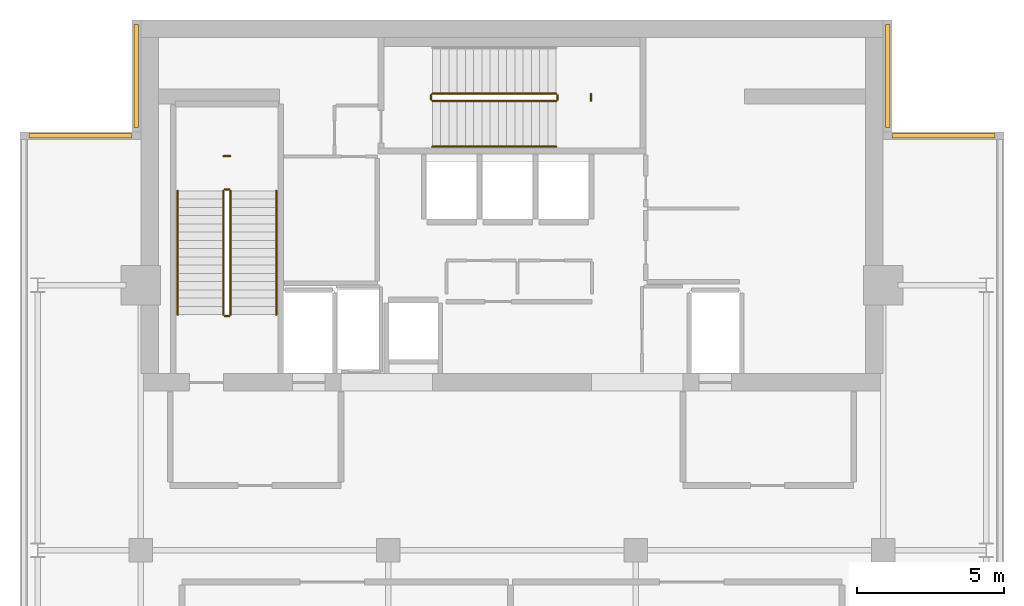
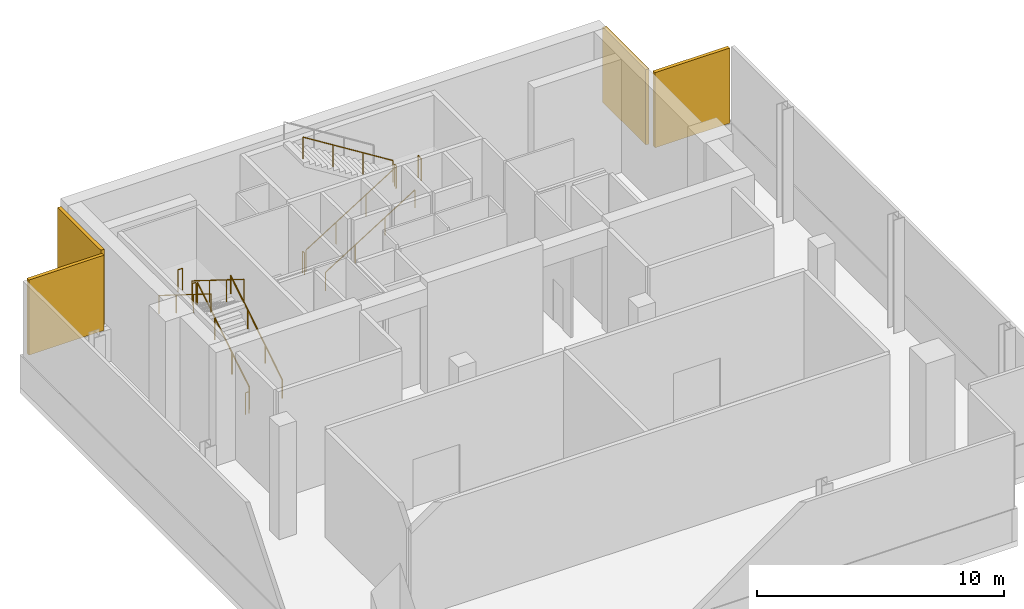
# One storey, part 5 of 6: 13 railings, 4 shading devices.
"""IFC4 building model written with IfcOpenShell, lengths in metres."""

from ifc_helpers import new_model, si_unit, direction, frame, origin, origin_2d, place, context, subcontext, project, spatial, rectangle, circle, extrude, material, layer, layer_set, type_object, element, save


model = new_model("IFC4")

# Units and contexts
model_context = context("Model", 3, precision=1e-05, world=origin(), true_north=direction((0.0, 1.0)))
body_context = subcontext(model_context, "Body", "Model", "MODEL_VIEW")
ifc_project = project(units=[si_unit("LENGTHUNIT", "METRE"), si_unit("AREAUNIT", "SQUARE_METRE"), si_unit("VOLUMEUNIT", "CUBIC_METRE"), si_unit("PLANEANGLEUNIT", "RADIAN"), si_unit("MASSUNIT", "GRAM", prefix="KILO")], contexts=[model_context])

# Site, building, storey
site_placement = place(None, origin())
site = spatial("IfcSite", under=ifc_project, at=site_placement, CompositionType="ELEMENT")
building_placement = place(site_placement, origin())
building = spatial("IfcBuilding", under=site, at=building_placement, Name="Maruvema Waterfront Hotel and Observation Tower", CompositionType="ELEMENT")
storey_placement = place(building_placement, frame((0.0, 0.0, 364.35009765625)))
storey = spatial("IfcBuildingStorey", under=building, at=storey_placement, Name="L89", CompositionType="ELEMENT", Elevation=364.35009765625)

# Shading devices
ifc_material_1 = material(Name="Anodised architectural bronze aluminium", Category="aluminium")
ifc_layer = layer(ifc_material_1, 0.14990234375, Name="Acoustic Weatherproof Plant Louvre Panel 150 mm")
ifc_layer_set = layer_set([ifc_layer], Name="Anodised architectural bronze aluminium")
shading_device_type = type_object("IfcShadingDeviceType", Name="Acoustic Weatherproof Plant Louvre Panel 150 mm", PredefinedType="JALOUSIE", material=ifc_layer_set)
for number, where, z_axis, x_axis, name in (
    (1, (52.449951171875, 50.070068359375, 1.60009765625), (0.0, 0.0, 1.0), (-1.0, 0.0, 0.0), "L89 Mechanical Acoustic Louvre 05"),
    (2, (50.550048828125, 52.10009765625, 1.60009765625), (0.0, 0.0, 1.0), (0.0, 1.0, 0.0), "L89 Mechanical Acoustic Louvre 06"),
    (3, (25.050048828125, 52.10009765625, 1.60009765625), (0.0, 0.0, 1.0), (0.0, -1.0, 0.0), "L89 Mechanical Acoustic Louvre 08"),
    (4, (23.14990234375, 50.070068359375, 1.60009765625), (0.0, 0.0, 1.0), (-1.0, 0.0, 0.0), "L89 Mechanical Acoustic Louvre 09"),
):
    element("IfcShadingDevice", number, at=place(storey_placement, frame(where, z_axis=z_axis, x_axis=x_axis)), inside=storey, type_object=shading_device_type, Name=name, PredefinedType="JALOUSIE", context=body_context, shape_type="SweptSolid", body=[
        extrude(rectangle(XDim=3.5, YDim=0.159912109375, at=origin_2d()), origin(), (0.0, 0.0, 1.0), 3.719970703125),
    ])

# Railings
ifc_material_2 = material(Name="Brushed stainless steel Grade 316", Category="steel")
railing_type_1 = type_object("IfcRailingType", Name="Ramp Continuous Wall Handrail 920 mm", PredefinedType="HANDRAIL", material=ifc_material_2)
railing_1_placement = place(storey_placement, frame((29.800048828125, 44.0, 0.1748046875)))
element("IfcRailing", 5, at=railing_1_placement, inside=storey, type_object=railing_type_1, Name="L89 ST-01 stair handrail 1", PredefinedType="HANDRAIL", context=body_context, shape_type="SweptSolid", body=[
    extrude(circle(Radius=0.02392578125, at=origin_2d()), frame((0.0, 0.0, 0.89599609375), z_axis=(0.0, 0.847995534698, 0.530003370869), x_axis=(-1.0, 0.0, 0.0)), (0.0, 0.0, 1.0), 4.952880859375),
    extrude(circle(Radius=0.02099609375, at=origin_2d()), origin(), (0.0, 0.0, 1.0), 0.871826171875),
    extrude(circle(Radius=0.02099609375, at=origin_2d()), frame((0.0, 1.39990234375, 0.875)), (0.0, 0.0, 1.0), 0.871826171875),
    extrude(circle(Radius=0.02099609375, at=origin_2d()), frame((0.0, 2.800048828125, 1.75)), (0.0, 0.0, 1.0), 0.871826171875),
    extrude(circle(Radius=0.02099609375, at=origin_2d()), frame((0.0, 4.199951171875, 2.625)), (0.0, 0.0, 1.0), 0.871826171875),
])
railing_2_placement = place(storey_placement, frame((26.449951171875, 48.199951171875, 2.974853515625)))
element("IfcRailing", 6, at=railing_2_placement, inside=storey, type_object=railing_type_1, Name="L89 ST-01 stair handrail 2", PredefinedType="HANDRAIL", context=body_context, shape_type="SweptSolid", body=[
    extrude(circle(Radius=0.02392578125, at=origin_2d()), frame((0.0, 0.0, 0.89599609375), z_axis=(0.0, -0.847995534698, 0.530003370869), x_axis=(1.0, 0.0, 0.0)), (0.0, 0.0, 1.0), 4.952880859375),
    extrude(circle(Radius=0.02099609375, at=origin_2d()), origin(), (0.0, 0.0, 1.0), 0.871826171875),
    extrude(circle(Radius=0.02099609375, at=origin_2d()), frame((0.0, -1.39990234375, 0.875)), (0.0, 0.0, 1.0), 0.871826171875),
    extrude(circle(Radius=0.02099609375, at=origin_2d()), frame((0.0, -2.800048828125, 1.75)), (0.0, 0.0, 1.0), 0.871826171875),
    extrude(circle(Radius=0.02099609375, at=origin_2d()), frame((0.0, -4.199951171875, 2.625)), (0.0, 0.0, 1.0), 0.871826171875),
])
railing_3_placement = place(storey_placement, frame((35.10009765625, 49.699951171875, 0.1748046875)))
element("IfcRailing", 7, at=railing_3_placement, inside=storey, type_object=railing_type_1, Name="L89 ST-02 stair handrail 1", PredefinedType="HANDRAIL", context=body_context, shape_type="SweptSolid", body=[
    extrude(circle(Radius=0.02392578125, at=origin_2d()), frame((0.0, 0.0, 0.89599609375), z_axis=(0.847995534698, 0.0, 0.530003370869), x_axis=(0.0, 1.0, 0.0)), (0.0, 0.0, 1.0), 4.952880859375),
    extrude(circle(Radius=0.02099609375, at=origin_2d()), origin(), (0.0, 0.0, 1.0), 0.871826171875),
    extrude(circle(Radius=0.02099609375, at=origin_2d()), frame((1.39990234375, 0.0, 0.875)), (0.0, 0.0, 1.0), 0.871826171875),
    extrude(circle(Radius=0.02099609375, at=origin_2d()), frame((2.800048828125, 0.0, 1.75)), (0.0, 0.0, 1.0), 0.871826171875),
    extrude(circle(Radius=0.02099609375, at=origin_2d()), frame((4.199951171875, 0.0, 2.625)), (0.0, 0.0, 1.0), 0.871826171875),
])
ifc_material_3 = material(Name="Brushed stainless steel Grade 316", Category="steel")
railing_type_2 = type_object("IfcRailingType", Name="Ramp and Terrace Guard Balustrade 1100 mm", PredefinedType="BALUSTRADE", material=ifc_material_3)
railing_4_placement = place(storey_placement, frame((28.25, 44.0, 0.1748046875)))
element("IfcRailing", 8, at=railing_4_placement, inside=storey, type_object=railing_type_2, Name="L89 ST-01 stair guard 1", PredefinedType="BALUSTRADE", context=body_context, shape_type="SweptSolid", body=[
    extrude(circle(Radius=0.02392578125, at=origin_2d()), frame((0.0, 0.0, 1.076171875), z_axis=(0.0, 0.847995534698, 0.530003370869), x_axis=(-1.0, 0.0, 0.0)), (0.0, 0.0, 1.0), 4.952880859375),
    extrude(circle(Radius=0.02099609375, at=origin_2d()), origin(), (0.0, 0.0, 1.0), 1.052001953125),
    extrude(circle(Radius=0.02099609375, at=origin_2d()), frame((0.0, 1.39990234375, 0.875)), (0.0, 0.0, 1.0), 1.052001953125),
    extrude(circle(Radius=0.02099609375, at=origin_2d()), frame((0.0, 2.800048828125, 1.75)), (0.0, 0.0, 1.0), 1.052001953125),
    extrude(circle(Radius=0.02099609375, at=origin_2d()), frame((0.0, 4.199951171875, 2.625)), (0.0, 0.0, 1.0), 1.052001953125),
])
railing_5_placement = place(storey_placement, frame((28.199951171875, 48.25, 2.7998046875)))
element("IfcRailing", 9, at=railing_5_placement, inside=storey, type_object=railing_type_2, Name="L89 ST-01 stair guard 2", PredefinedType="BALUSTRADE", context=body_context, shape_type="SweptSolid", body=[
    extrude(circle(Radius=0.02392578125, at=origin_2d()), frame((0.0, 0.0, 1.076171875), z_axis=(-1.0, 0.0, 0.0), x_axis=(0.0, -1.0, 0.0)), (0.0, 0.0, 1.0), 0.14990234375),
    extrude(circle(Radius=0.02099609375, at=origin_2d()), origin(), (0.0, 0.0, 1.0), 1.052001953125),
    extrude(circle(Radius=0.02099609375, at=origin_2d()), frame((-0.14990234375, 0.0, 0.0)), (0.0, 0.0, 1.0), 1.052001953125),
])
railing_6_placement = place(storey_placement, frame((28.0, 48.199951171875, 2.974853515625)))
element("IfcRailing", 10, at=railing_6_placement, inside=storey, type_object=railing_type_2, Name="L89 ST-01 stair guard 3", PredefinedType="BALUSTRADE", context=body_context, shape_type="SweptSolid", body=[
    extrude(circle(Radius=0.02392578125, at=origin_2d()), frame((0.0, 0.0, 1.076171875), z_axis=(0.0, -0.847995534698, 0.530003370869), x_axis=(1.0, 0.0, 0.0)), (0.0, 0.0, 1.0), 4.952880859375),
    extrude(circle(Radius=0.02099609375, at=origin_2d()), origin(), (0.0, 0.0, 1.0), 1.052001953125),
    extrude(circle(Radius=0.02099609375, at=origin_2d()), frame((0.0, -1.39990234375, 0.875)), (0.0, 0.0, 1.0), 1.052001953125),
    extrude(circle(Radius=0.02099609375, at=origin_2d()), frame((0.0, -2.800048828125, 1.75)), (0.0, 0.0, 1.0), 1.052001953125),
    extrude(circle(Radius=0.02099609375, at=origin_2d()), frame((0.0, -4.199951171875, 2.625)), (0.0, 0.0, 1.0), 1.052001953125),
])
railing_7_placement = place(storey_placement, frame((28.199951171875, 43.949951171875, 0.0)))
element("IfcRailing", 11, at=railing_7_placement, inside=storey, type_object=railing_type_2, Name="L89 ST-01 stair guard 4", PredefinedType="BALUSTRADE", context=body_context, shape_type="SweptSolid", body=[
    extrude(circle(Radius=0.02392578125, at=origin_2d()), frame((0.0, 0.0, 1.076171875), z_axis=(-1.0, 0.0, 0.0), x_axis=(0.0, -1.0, 0.0)), (0.0, 0.0, 1.0), 0.14990234375),
    extrude(circle(Radius=0.02099609375, at=origin_2d()), origin(), (0.0, 0.0, 1.0), 1.052001953125),
    extrude(circle(Radius=0.02099609375, at=origin_2d()), frame((-0.14990234375, 0.0, 0.0)), (0.0, 0.0, 1.0), 1.052001953125),
])
railing_8_placement = place(storey_placement, frame((28.239990234375, 49.3798828125, 2.7998046875)))
element("IfcRailing", 12, at=railing_8_placement, inside=storey, type_object=railing_type_2, Name="L89 ST-01 Half-Landing Slot Guard", PredefinedType="BALUSTRADE", context=body_context, shape_type="SweptSolid", body=[
    extrude(circle(Radius=0.02392578125, at=origin_2d()), frame((0.0, 0.0, 1.076171875), z_axis=(-1.0, 0.0, 0.0), x_axis=(0.0, -1.0, 0.0)), (0.0, 0.0, 1.0), 0.22998046875),
    extrude(circle(Radius=0.02099609375, at=origin_2d()), origin(), (0.0, 0.0, 1.0), 1.052001953125),
    extrude(circle(Radius=0.02099609375, at=origin_2d()), frame((-0.22998046875, 0.0, 0.0)), (0.0, 0.0, 1.0), 1.052001953125),
])
railing_9_placement = place(storey_placement, frame((35.10009765625, 51.25, 0.1748046875)))
element("IfcRailing", 13, at=railing_9_placement, inside=storey, type_object=railing_type_2, Name="L89 ST-02 stair guard 1", PredefinedType="BALUSTRADE", context=body_context, shape_type="SweptSolid", body=[
    extrude(circle(Radius=0.02392578125, at=origin_2d()), frame((0.0, 0.0, 1.076171875), z_axis=(0.847995534698, 0.0, 0.530003370869), x_axis=(0.0, 1.0, 0.0)), (0.0, 0.0, 1.0), 4.952880859375),
    extrude(circle(Radius=0.02099609375, at=origin_2d()), origin(), (0.0, 0.0, 1.0), 1.052001953125),
    extrude(circle(Radius=0.02099609375, at=origin_2d()), frame((1.39990234375, 0.0, 0.875)), (0.0, 0.0, 1.0), 1.052001953125),
    extrude(circle(Radius=0.02099609375, at=origin_2d()), frame((2.800048828125, 0.0, 1.75)), (0.0, 0.0, 1.0), 1.052001953125),
    extrude(circle(Radius=0.02099609375, at=origin_2d()), frame((4.199951171875, 0.0, 2.625)), (0.0, 0.0, 1.0), 1.052001953125),
])
railing_10_placement = place(storey_placement, frame((39.35009765625, 51.300048828125, 2.7998046875)))
element("IfcRailing", 14, at=railing_10_placement, inside=storey, type_object=railing_type_2, Name="L89 ST-02 stair guard 2", PredefinedType="BALUSTRADE", context=body_context, shape_type="SweptSolid", body=[
    extrude(circle(Radius=0.02392578125, at=origin_2d()), frame((0.0, 0.0, 1.076171875), z_axis=(0.0, 1.0, 0.0), x_axis=(-1.0, 0.0, 0.0)), (0.0, 0.0, 1.0), 0.14990234375),
    extrude(circle(Radius=0.02099609375, at=origin_2d()), origin(), (0.0, 0.0, 1.0), 1.052001953125),
    extrude(circle(Radius=0.02099609375, at=origin_2d()), frame((0.0, 0.14990234375, 0.0)), (0.0, 0.0, 1.0), 1.052001953125),
])
railing_11_placement = place(storey_placement, frame((39.300048828125, 51.5, 2.974853515625)))
element("IfcRailing", 15, at=railing_11_placement, inside=storey, type_object=railing_type_2, Name="L89 ST-02 stair guard 3", PredefinedType="BALUSTRADE", context=body_context, shape_type="SweptSolid", body=[
    extrude(circle(Radius=0.02392578125, at=origin_2d()), frame((0.0, 0.0, 1.076171875), z_axis=(-0.847995534698, 0.0, 0.530003370869), x_axis=(0.0, -1.0, 0.0)), (0.0, 0.0, 1.0), 4.952880859375),
    extrude(circle(Radius=0.02099609375, at=origin_2d()), origin(), (0.0, 0.0, 1.0), 1.052001953125),
    extrude(circle(Radius=0.02099609375, at=origin_2d()), frame((-1.39990234375, 0.0, 0.875)), (0.0, 0.0, 1.0), 1.052001953125),
    extrude(circle(Radius=0.02099609375, at=origin_2d()), frame((-2.800048828125, 0.0, 1.75)), (0.0, 0.0, 1.0), 1.052001953125),
    extrude(circle(Radius=0.02099609375, at=origin_2d()), frame((-4.199951171875, 0.0, 2.625)), (0.0, 0.0, 1.0), 1.052001953125),
])
railing_12_placement = place(storey_placement, frame((35.050048828125, 51.300048828125, 0.0)))
element("IfcRailing", 16, at=railing_12_placement, inside=storey, type_object=railing_type_2, Name="L89 ST-02 stair guard 4", PredefinedType="BALUSTRADE", context=body_context, shape_type="SweptSolid", body=[
    extrude(circle(Radius=0.02392578125, at=origin_2d()), frame((0.0, 0.0, 1.076171875), z_axis=(0.0, 1.0, 0.0), x_axis=(-1.0, 0.0, 0.0)), (0.0, 0.0, 1.0), 0.14990234375),
    extrude(circle(Radius=0.02099609375, at=origin_2d()), origin(), (0.0, 0.0, 1.0), 1.052001953125),
    extrude(circle(Radius=0.02099609375, at=origin_2d()), frame((0.0, 0.14990234375, 0.0)), (0.0, 0.0, 1.0), 1.052001953125),
])
railing_13_placement = place(storey_placement, frame((40.47998046875, 51.260009765625, 2.7998046875)))
element("IfcRailing", 17, at=railing_13_placement, inside=storey, type_object=railing_type_2, Name="L89 ST-02 Half-Landing Slot Guard", PredefinedType="BALUSTRADE", context=body_context, shape_type="SweptSolid", body=[
    extrude(circle(Radius=0.02392578125, at=origin_2d()), frame((0.0, 0.0, 1.076171875), z_axis=(0.0, 1.0, 0.0), x_axis=(-1.0, 0.0, 0.0)), (0.0, 0.0, 1.0), 0.22998046875),
    extrude(circle(Radius=0.02099609375, at=origin_2d()), origin(), (0.0, 0.0, 1.0), 1.052001953125),
    extrude(circle(Radius=0.02099609375, at=origin_2d()), frame((0.0, 0.22998046875, 0.0)), (0.0, 0.0, 1.0), 1.052001953125),
])

save(model, "model.ifc")
